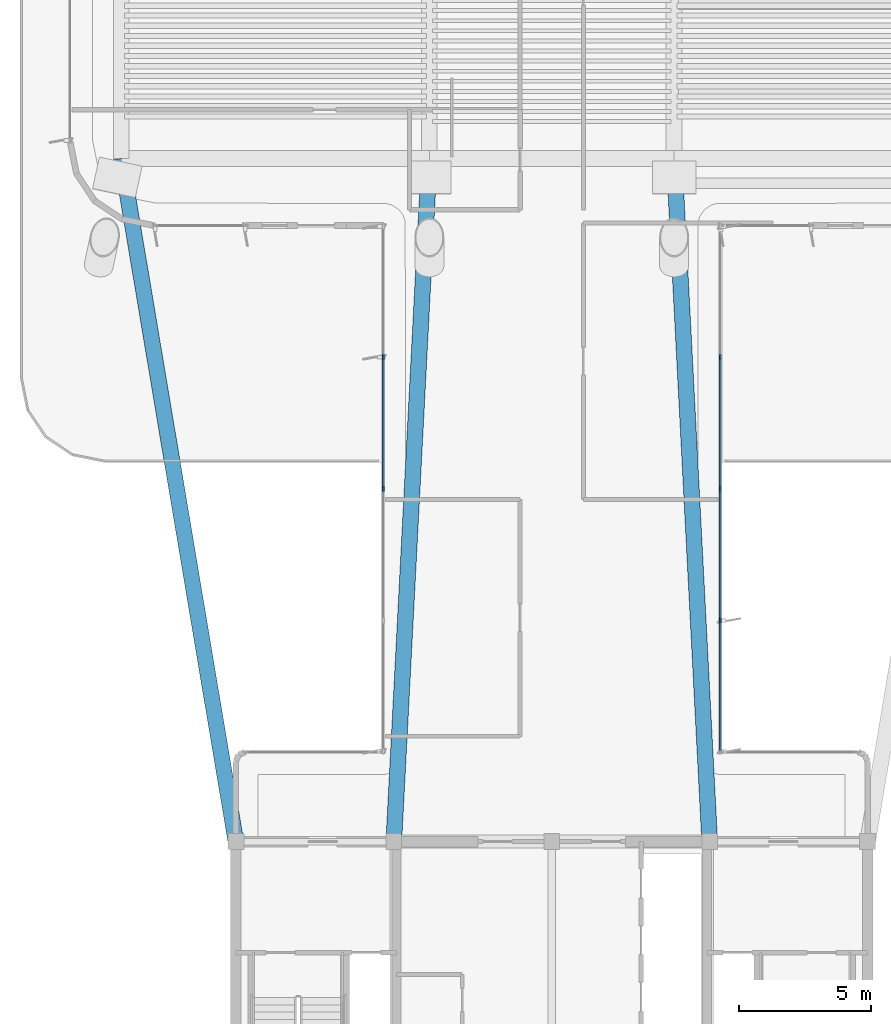
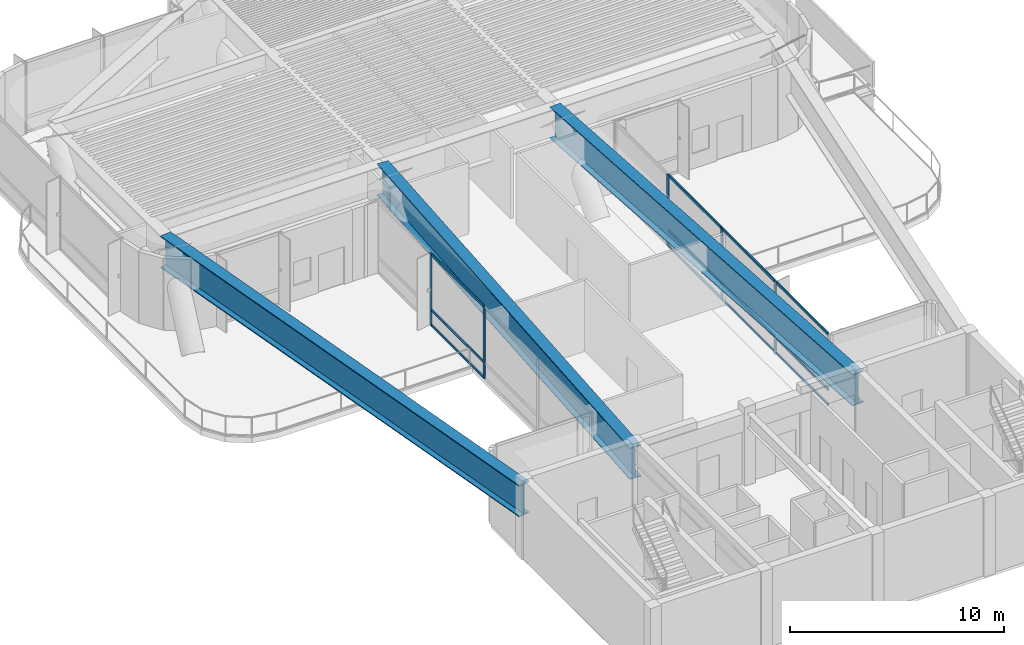
# One storey, part 3 of 16: 17 members, 3 beams, 2 elements without a shape of their own.
"""IFC4 building model written with IfcOpenShell, lengths in metres."""

from ifc_helpers import new_model, si_unit, direction, frame, origin, origin_2d, place, context, subcontext, project, spatial, rectangle, i_section, extrude, source, transform, mapped, material, layer, layer_set, material_profile, profile_set, type_object, element, aggregate, save


model = new_model("IFC4")

# Units and contexts
model_context = context("Model", 3, precision=1e-05, world=origin(), true_north=direction((0.0, 1.0)))
body_context = subcontext(model_context, "Body", "Model", "MODEL_VIEW")
ifc_project = project(units=[si_unit("LENGTHUNIT", "METRE"), si_unit("AREAUNIT", "SQUARE_METRE"), si_unit("VOLUMEUNIT", "CUBIC_METRE"), si_unit("PLANEANGLEUNIT", "RADIAN"), si_unit("MASSUNIT", "GRAM", prefix="KILO")], contexts=[model_context])

# Site, building, storey
site_placement = place(None, origin())
site = spatial("IfcSite", under=ifc_project, at=site_placement, CompositionType="ELEMENT")
building_placement = place(site_placement, origin())
building = spatial("IfcBuilding", under=site, at=building_placement, Name="Brelvock Crest Care Tower", CompositionType="ELEMENT")
storey_placement = place(building_placement, frame((0.0, 0.0, 218.52001953125)))
storey = spatial("IfcBuildingStorey", under=building, at=storey_placement, Name="L55", CompositionType="ELEMENT", Elevation=218.52001953125)

# Beams
ifc_material_1 = material(Name="Steel Grade 350", Category="steel")
ifc_material_profile_1 = material_profile(ifc_material_1, i_section(OverallWidth=0.60009765625, OverallDepth=1.800048828125, WebThickness=0.028076171875, FlangeThickness=0.052001953125, at=origin_2d()), Name="1800TG740")
ifc_profile_set_1 = profile_set([ifc_material_profile_1], Name="Steel Grade 350")
beam_type = type_object("IfcBeamType", Name="BM-TG1", PredefinedType="USERDEFINED", material=ifc_profile_set_1)
shared_shape_1 = source(origin(), body_context, "Body", "SweptSolid", [
    extrude(i_section(OverallWidth=0.60009765625, OverallDepth=1.800048828125, WebThickness=0.028076171875, FlangeThickness=0.052001953125, at=origin_2d()), origin(), (0.0, 0.0, 1.0), 25.985107421875),
])
for number, where, z_axis, x_axis, name in (
    (1, (30.0, 18.0, 3.19189453125), (0.051956711656, 0.998649337913, 0.0), (-0.998649337913, 0.051956711656, 0.0), "BM-THRW-L55"),
    (2, (42.0, 18.0, 3.19189453125), (-0.051956711656, 0.998649337913, 0.0), (-0.998649337913, -0.051956711656, 0.0), "BM-THRE-L55"),
):
    element("IfcBeam", number, at=place(storey_placement, frame(where, z_axis=z_axis, x_axis=x_axis)), inside=storey, type_object=beam_type, Name=name, ObjectType="GIRDER", PredefinedType="USERDEFINED", context=body_context, shape_type="MappedRepresentation", body=[
        mapped(shared_shape_1, transform((0.0, 0.0, 0.0), x_axis=(1.0, 0.0, 0.0), y_axis=(0.0, 1.0, 0.0), z_axis=(0.0, 0.0, 1.0), scale=1.0)),
    ])
shared_shape_2 = source(origin(), body_context, "Body", "SweptSolid", [
    extrude(i_section(OverallWidth=0.60009765625, OverallDepth=1.800048828125, WebThickness=0.028076171875, FlangeThickness=0.052001953125, at=origin_2d()), origin(), (0.0, 0.0, 1.0), 26.31201171875),
])
beam_placement = place(storey_placement, frame((24.0, 18.0, 3.19189453125), z_axis=(-0.165327282709, 0.986238758918, 0.0), x_axis=(-0.986238758918, -0.165327282709, 0.0)))
element("IfcBeam", 3, at=beam_placement, inside=storey, type_object=beam_type, Name="BM-THRO-W-L55", ObjectType="GIRDER", PredefinedType="USERDEFINED", context=body_context, shape_type="MappedRepresentation", body=[
    mapped(shared_shape_2, transform((0.0, 0.0, 0.0), x_axis=(1.0, 0.0, 0.0), y_axis=(0.0, 1.0, 0.0), z_axis=(0.0, 0.0, 1.0), scale=1.0)),
])

# Curtain wall, members
ifc_material_2 = material(Name="Dark Glass Double Glazed Low-E", Category="glass")
ifc_layer = layer(ifc_material_2, 0.2548828125, Name="CWS-6")
ifc_layer_set = layer_set([ifc_layer], Name="Dark Glass Double Glazed Low-E")
curtain_wall_type = type_object("IfcCurtainWallType", Name="CWS-6", PredefinedType="NOTDEFINED", material=ifc_layer_set)
curtain_wall_1_placement = place(storey_placement, origin())
curtain_wall_1 = element("IfcCurtainWall", 4, at=curtain_wall_1_placement, inside=storey, type_object=curtain_wall_type, Name="L55 Curtain Wall E11", PredefinedType="NOTDEFINED")
ifc_material_3 = material(Name="Aluminium 6063-T6", Category="aluminium")
ifc_material_profile_2 = material_profile(ifc_material_3, rectangle(XDim=0.06494140625, YDim=0.199951171875, at=origin_2d()), Name="ALU65x200")
ifc_profile_set_2 = profile_set([ifc_material_profile_2], Name="Aluminium 6063-T6")
member_type_1 = type_object("IfcMemberType", Name="CWM-1", PredefinedType="MULLION", material=ifc_profile_set_2)
shared_shape_3 = source(origin(), body_context, "Body", "SweptSolid", [
    extrude(rectangle(XDim=0.06494140625, YDim=0.199951171875, at=origin_2d()), origin(), (0.0, 0.0, 1.0), 4.092041015625),
])
member_1_placement = place(storey_placement, frame((29.60009765625, 31.39990234375, 0.0), z_axis=(0.0, 0.0, 1.0), x_axis=(-1.0, 0.0, 0.0)))
member_1 = element("IfcMember", 5, at=member_1_placement, type_object=member_type_1, Name="CW-6 mullion 3", PredefinedType="MULLION", context=body_context, shape_type="MappedRepresentation", body=[
    mapped(shared_shape_3, transform((0.0, 0.0, 0.0), x_axis=(1.0, 0.0, 0.0), y_axis=(0.0, 1.0, 0.0), z_axis=(0.0, 0.0, 1.0), scale=1.0)),
])
member_2_placement = place(storey_placement, frame((29.60009765625, 36.39990234375, 0.0), z_axis=(0.0, 0.0, 1.0), x_axis=(-1.0, 0.0, 0.0)))
member_2 = element("IfcMember", 6, at=member_2_placement, type_object=member_type_1, Name="CW-6 mullion 4", PredefinedType="MULLION", context=body_context, shape_type="MappedRepresentation", body=[
    mapped(shared_shape_3, transform((0.0, 0.0, 0.0), x_axis=(1.0, 0.0, 0.0), y_axis=(0.0, 1.0, 0.0), z_axis=(0.0, 0.0, 1.0), scale=1.0)),
])

curtain_wall_2_placement = place(storey_placement, origin())
curtain_wall_2 = element("IfcCurtainWall", 7, at=curtain_wall_2_placement, inside=storey, type_object=curtain_wall_type, Name="L55 Curtain Wall E45", PredefinedType="NOTDEFINED")
member_3_placement = place(storey_placement, frame((42.39990234375, 36.39990234375, 0.0), z_axis=(0.0, 0.0, 1.0), x_axis=(1.0, 0.0, 0.0)))
member_3 = element("IfcMember", 8, at=member_3_placement, type_object=member_type_1, Name="CW-6 mullion 2", PredefinedType="MULLION", context=body_context, shape_type="MappedRepresentation", body=[
    mapped(shared_shape_3, transform((0.0, 0.0, 0.0), x_axis=(1.0, 0.0, 0.0), y_axis=(0.0, 1.0, 0.0), z_axis=(0.0, 0.0, 1.0), scale=1.0)),
])
member_4_placement = place(storey_placement, frame((42.39990234375, 31.39990234375, 0.0), z_axis=(0.0, 0.0, 1.0), x_axis=(1.0, 0.0, 0.0)))
member_4 = element("IfcMember", 9, at=member_4_placement, type_object=member_type_1, Name="CW-6 mullion 3", PredefinedType="MULLION", context=body_context, shape_type="MappedRepresentation", body=[
    mapped(shared_shape_3, transform((0.0, 0.0, 0.0), x_axis=(1.0, 0.0, 0.0), y_axis=(0.0, 1.0, 0.0), z_axis=(0.0, 0.0, 1.0), scale=1.0)),
])
member_5_placement = place(storey_placement, frame((42.39990234375, 26.39990234375, 0.0), z_axis=(0.0, 0.0, 1.0), x_axis=(1.0, 0.0, 0.0)))
member_5 = element("IfcMember", 10, at=member_5_placement, type_object=member_type_1, Name="CW-6 mullion 4", PredefinedType="MULLION", context=body_context, shape_type="MappedRepresentation", body=[
    mapped(shared_shape_3, transform((0.0, 0.0, 0.0), x_axis=(1.0, 0.0, 0.0), y_axis=(0.0, 1.0, 0.0), z_axis=(0.0, 0.0, 1.0), scale=1.0)),
])
ifc_material_profile_3 = material_profile(ifc_material_3, rectangle(XDim=0.06494140625, YDim=0.14990234375, at=origin_2d()), Name="ALU65x150")
ifc_profile_set_3 = profile_set([ifc_material_profile_3], Name="Aluminium 6063-T6")
member_type_2 = type_object("IfcMemberType", Name="CWT-1", PredefinedType="USERDEFINED", material=ifc_profile_set_3)
shared_shape_4 = source(origin(), body_context, "Body", "SweptSolid", [
    extrude(rectangle(XDim=0.06494140625, YDim=0.14990234375, at=origin_2d()), origin(), (0.0, 0.0, 1.0), 4.90234375),
])
member_6_placement = place(storey_placement, frame((42.39990234375, 26.367431640625, 0.032470703125), z_axis=(0.0, -1.0, 0.0), x_axis=(1.0, 0.0, 0.0)))
member_6 = element("IfcMember", 11, at=member_6_placement, type_object=member_type_2, Name="CW-6 transom 4.1", ObjectType="TRANSOM", PredefinedType="USERDEFINED", context=body_context, shape_type="MappedRepresentation", body=[
    mapped(shared_shape_4, transform((0.0, 0.0, 0.0), x_axis=(1.0, 0.0, 0.0), y_axis=(0.0, 1.0, 0.0), z_axis=(0.0, 0.0, 1.0), scale=1.0)),
])
member_7_placement = place(storey_placement, frame((42.39990234375, 26.367431640625, 0.89990234375), z_axis=(0.0, -1.0, 0.0), x_axis=(1.0, 0.0, 0.0)))
member_7 = element("IfcMember", 12, at=member_7_placement, type_object=member_type_2, Name="CW-6 transom 4.2", ObjectType="TRANSOM", PredefinedType="USERDEFINED", context=body_context, shape_type="MappedRepresentation", body=[
    mapped(shared_shape_4, transform((0.0, 0.0, 0.0), x_axis=(1.0, 0.0, 0.0), y_axis=(0.0, 1.0, 0.0), z_axis=(0.0, 0.0, 1.0), scale=1.0)),
])
member_8_placement = place(storey_placement, frame((42.39990234375, 26.367431640625, 4.0595703125), z_axis=(0.0, -1.0, 0.0), x_axis=(1.0, 0.0, 0.0)))
member_8 = element("IfcMember", 13, at=member_8_placement, type_object=member_type_2, Name="CW-6 transom 4.3", ObjectType="TRANSOM", PredefinedType="USERDEFINED", context=body_context, shape_type="MappedRepresentation", body=[
    mapped(shared_shape_4, transform((0.0, 0.0, 0.0), x_axis=(1.0, 0.0, 0.0), y_axis=(0.0, 1.0, 0.0), z_axis=(0.0, 0.0, 1.0), scale=1.0)),
])

# Member
shared_shape_5 = source(origin(), body_context, "Body", "SweptSolid", [
    extrude(rectangle(XDim=0.06494140625, YDim=0.14990234375, at=origin_2d()), origin(), (0.0, 0.0, 1.0), 4.934814453125),
])
member_9_placement = place(storey_placement, frame((29.60009765625, 31.4326171875, 0.032470703125), z_axis=(0.0, 1.0, 0.0), x_axis=(-1.0, 0.0, 0.0)))
member_9 = element("IfcMember", 14, at=member_9_placement, type_object=member_type_2, Name="CW-6 transom 3.1", ObjectType="TRANSOM", PredefinedType="USERDEFINED", context=body_context, shape_type="MappedRepresentation", body=[
    mapped(shared_shape_5, transform((0.0, 0.0, 0.0), x_axis=(1.0, 0.0, 0.0), y_axis=(0.0, 1.0, 0.0), z_axis=(0.0, 0.0, 1.0), scale=1.0)),
])

member_10_placement = place(storey_placement, frame((29.60009765625, 31.4326171875, 0.89990234375), z_axis=(0.0, 1.0, 0.0), x_axis=(-1.0, 0.0, 0.0)))
member_10 = element("IfcMember", 15, at=member_10_placement, type_object=member_type_2, Name="CW-6 transom 3.2", ObjectType="TRANSOM", PredefinedType="USERDEFINED", context=body_context, shape_type="MappedRepresentation", body=[
    mapped(shared_shape_5, transform((0.0, 0.0, 0.0), x_axis=(1.0, 0.0, 0.0), y_axis=(0.0, 1.0, 0.0), z_axis=(0.0, 0.0, 1.0), scale=1.0)),
])

member_11_placement = place(storey_placement, frame((29.60009765625, 31.4326171875, 4.0595703125), z_axis=(0.0, 1.0, 0.0), x_axis=(-1.0, 0.0, 0.0)))
member_11 = element("IfcMember", 16, at=member_11_placement, type_object=member_type_2, Name="CW-6 transom 3.3", ObjectType="TRANSOM", PredefinedType="USERDEFINED", context=body_context, shape_type="MappedRepresentation", body=[
    mapped(shared_shape_5, transform((0.0, 0.0, 0.0), x_axis=(1.0, 0.0, 0.0), y_axis=(0.0, 1.0, 0.0), z_axis=(0.0, 0.0, 1.0), scale=1.0)),
])

aggregate(curtain_wall_1, [member_1, member_2, member_9, member_10, member_11])

member_12_placement = place(storey_placement, frame((42.39990234375, 36.367431640625, 0.032470703125), z_axis=(0.0, -1.0, 0.0), x_axis=(1.0, 0.0, 0.0)))
member_12 = element("IfcMember", 17, at=member_12_placement, type_object=member_type_2, Name="CW-6 transom 2.1", ObjectType="TRANSOM", PredefinedType="USERDEFINED", context=body_context, shape_type="MappedRepresentation", body=[
    mapped(shared_shape_5, transform((0.0, 0.0, 0.0), x_axis=(1.0, 0.0, 0.0), y_axis=(0.0, 1.0, 0.0), z_axis=(0.0, 0.0, 1.0), scale=1.0)),
])

member_13_placement = place(storey_placement, frame((42.39990234375, 36.367431640625, 0.89990234375), z_axis=(0.0, -1.0, 0.0), x_axis=(1.0, 0.0, 0.0)))
member_13 = element("IfcMember", 18, at=member_13_placement, type_object=member_type_2, Name="CW-6 transom 2.2", ObjectType="TRANSOM", PredefinedType="USERDEFINED", context=body_context, shape_type="MappedRepresentation", body=[
    mapped(shared_shape_5, transform((0.0, 0.0, 0.0), x_axis=(1.0, 0.0, 0.0), y_axis=(0.0, 1.0, 0.0), z_axis=(0.0, 0.0, 1.0), scale=1.0)),
])

member_14_placement = place(storey_placement, frame((42.39990234375, 36.367431640625, 4.0595703125), z_axis=(0.0, -1.0, 0.0), x_axis=(1.0, 0.0, 0.0)))
member_14 = element("IfcMember", 19, at=member_14_placement, type_object=member_type_2, Name="CW-6 transom 2.3", ObjectType="TRANSOM", PredefinedType="USERDEFINED", context=body_context, shape_type="MappedRepresentation", body=[
    mapped(shared_shape_5, transform((0.0, 0.0, 0.0), x_axis=(1.0, 0.0, 0.0), y_axis=(0.0, 1.0, 0.0), z_axis=(0.0, 0.0, 1.0), scale=1.0)),
])

member_15_placement = place(storey_placement, frame((42.39990234375, 31.367431640625, 0.032470703125), z_axis=(0.0, -1.0, 0.0), x_axis=(1.0, 0.0, 0.0)))
member_15 = element("IfcMember", 20, at=member_15_placement, type_object=member_type_2, Name="CW-6 transom 3.1", ObjectType="TRANSOM", PredefinedType="USERDEFINED", context=body_context, shape_type="MappedRepresentation", body=[
    mapped(shared_shape_5, transform((0.0, 0.0, 0.0), x_axis=(1.0, 0.0, 0.0), y_axis=(0.0, 1.0, 0.0), z_axis=(0.0, 0.0, 1.0), scale=1.0)),
])

member_16_placement = place(storey_placement, frame((42.39990234375, 31.367431640625, 0.89990234375), z_axis=(0.0, -1.0, 0.0), x_axis=(1.0, 0.0, 0.0)))
member_16 = element("IfcMember", 21, at=member_16_placement, type_object=member_type_2, Name="CW-6 transom 3.2", ObjectType="TRANSOM", PredefinedType="USERDEFINED", context=body_context, shape_type="MappedRepresentation", body=[
    mapped(shared_shape_5, transform((0.0, 0.0, 0.0), x_axis=(1.0, 0.0, 0.0), y_axis=(0.0, 1.0, 0.0), z_axis=(0.0, 0.0, 1.0), scale=1.0)),
])

member_17_placement = place(storey_placement, frame((42.39990234375, 31.367431640625, 4.0595703125), z_axis=(0.0, -1.0, 0.0), x_axis=(1.0, 0.0, 0.0)))
member_17 = element("IfcMember", 22, at=member_17_placement, type_object=member_type_2, Name="CW-6 transom 3.3", ObjectType="TRANSOM", PredefinedType="USERDEFINED", context=body_context, shape_type="MappedRepresentation", body=[
    mapped(shared_shape_5, transform((0.0, 0.0, 0.0), x_axis=(1.0, 0.0, 0.0), y_axis=(0.0, 1.0, 0.0), z_axis=(0.0, 0.0, 1.0), scale=1.0)),
])

aggregate(curtain_wall_2, [member_3, member_4, member_5, member_12, member_13, member_14, member_15, member_16, member_17, member_6, member_7, member_8])

save(model, "model.ifc")
